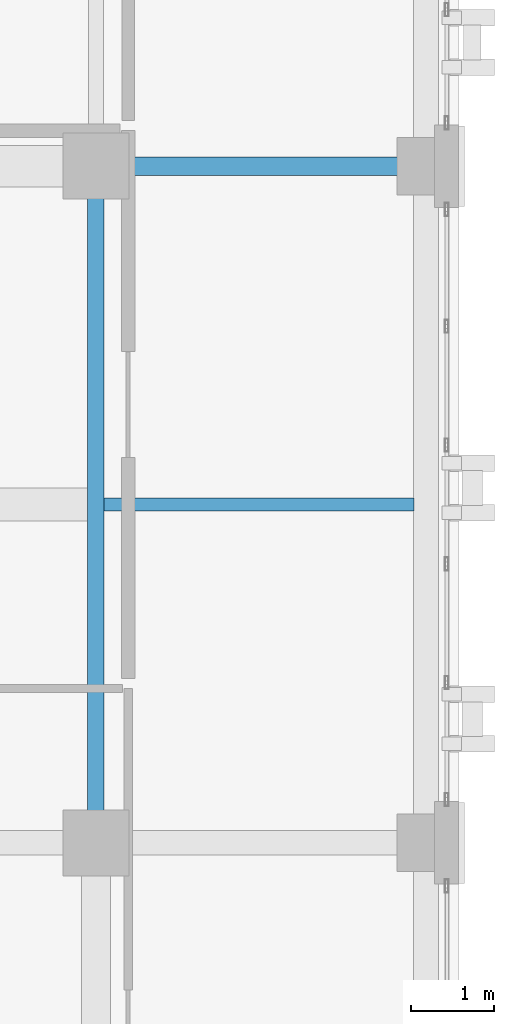
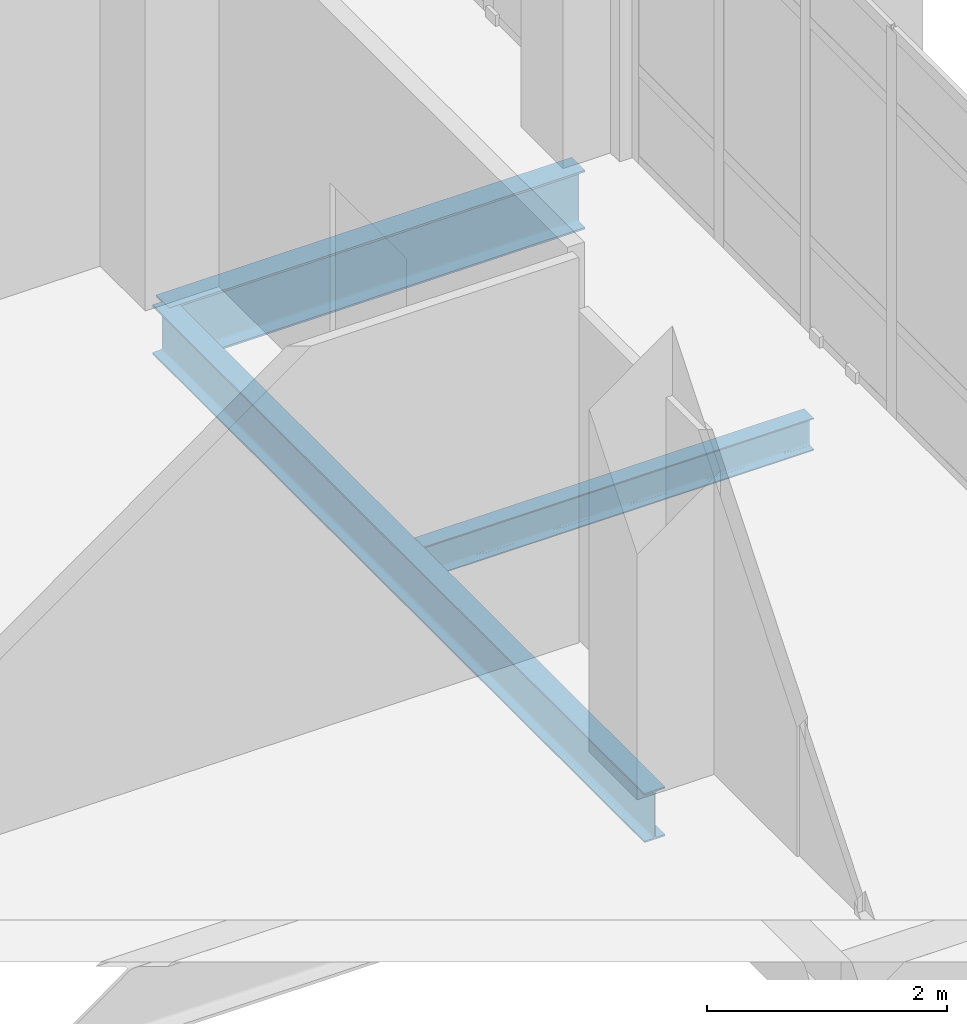
# One storey, part 75 of 165: 3 beams.
"""IFC4 building model written with IfcOpenShell, lengths in metres."""

import ifcopenshell
import ifcopenshell.guid

model = None  # the IFC model being written
_history = None  # IfcOwnerHistory: only IFC2X3 demands one
_inside = {}  # id of a spatial element -> (the spatial element, [elements in it])
_under = {}  # id of a project, library or spatial element -> (it, [spatial elements below it])
_declared = {}  # id of a project -> (the project, [libraries it declares])
_typed = {}  # id of a type object -> (the type object, [elements of that type])
_made_of = {}  # id of a material, layer set ... -> (it, [elements and type objects made of it])


def new_model(schema):
    """Start an empty IFC model of exactly this schema.

    Asked for "IFC4X3", IfcOpenShell would pick the latest addendum, in which some entities
    have other attributes; the version numbers below select the first issue.
    IFC2X3 requires an IfcOwnerHistory on every rooted entity: one is made here for all.
    """
    global model, _history
    if schema == "IFC4X3":
        model = ifcopenshell.file(schema_version=(4, 3, 0, 0))
    else:
        model = ifcopenshell.file(schema=schema)
    _inside.clear()
    _under.clear()
    _declared.clear()
    _typed.clear()
    _made_of.clear()
    _history = None
    if model.schema == "IFC2X3":
        org = make("IfcOrganization", Name="unknown")
        user = make(
            "IfcPersonAndOrganization",
            ThePerson=make("IfcPerson", FamilyName="unknown"),
            TheOrganization=org,
        )
        app = make(
            "IfcApplication",
            ApplicationDeveloper=org,
            Version="unknown",
            ApplicationFullName="unknown",
            ApplicationIdentifier="unknown",
        )
        _history = make(
            "IfcOwnerHistory",
            OwningUser=user,
            OwningApplication=app,
            ChangeAction="ADDED",
            CreationDate=0,
        )
    return model


def make(cls, **values):
    """One entity of the class cls with the attributes given. An attribute that is None is left unset."""
    return model.create_entity(
        cls, **{name: value for name, value in values.items() if value is not None}
    )


def rooted(cls, **values):
    """An entity with a GlobalId (a new one), such as an element, a storey or a relation."""
    return make(cls, GlobalId=ifcopenshell.guid.new(), OwnerHistory=_history, **values)


def si_unit(unit_type, name, prefix=None):
    """IfcSIUnit, for example si_unit("LENGTHUNIT", "METRE", prefix="MILLI")."""
    return make("IfcSIUnit", UnitType=unit_type, Prefix=prefix, Name=name)


def assignment(units):
    """IfcUnitAssignment: the units of a project."""
    return None if units is None else make("IfcUnitAssignment", Units=units)


def point(xyz):
    """IfcCartesianPoint."""
    return None if xyz is None else make("IfcCartesianPoint", Coordinates=xyz)


def direction(xyz):
    """IfcDirection."""
    return None if xyz is None else make("IfcDirection", DirectionRatios=xyz)


def frame(location, z_axis=None, x_axis=None):
    """IfcAxis2Placement3D, a coordinate frame: its origin and axes. An axis left out is left unset."""
    return make(
        "IfcAxis2Placement3D",
        Location=point(location),
        Axis=direction(z_axis),
        RefDirection=direction(x_axis),
    )


def frame_2d(location, x_axis=None):
    """IfcAxis2Placement2D, a coordinate frame in the plane: its origin and x axis."""
    return make(
        "IfcAxis2Placement2D", Location=point(location), RefDirection=direction(x_axis)
    )


def origin():
    """The frame at (0, 0, 0) with its axes left unset."""
    return frame((0.0, 0.0, 0.0))


def origin_2d():
    """The frame at (0, 0) in the plane with its x axis left unset."""
    return frame_2d((0.0, 0.0))


def place(relative_to, where):
    """IfcLocalPlacement: puts the frame where relative to a parent placement (None: the world)."""
    return make(
        "IfcLocalPlacement", PlacementRelTo=relative_to, RelativePlacement=where
    )


def context(
    kind, dimensions, precision=None, world=None, true_north=None, identifier=None
):
    """IfcGeometricRepresentationContext, for example the 3D "Model" context."""
    return make(
        "IfcGeometricRepresentationContext",
        ContextIdentifier=identifier,
        ContextType=kind,
        CoordinateSpaceDimension=dimensions,
        Precision=precision,
        WorldCoordinateSystem=world,
        TrueNorth=true_north,
    )


def subcontext(parent, identifier, kind, view, scale=None):
    """IfcGeometricRepresentationSubContext, for example "Body" below "Model"."""
    return make(
        "IfcGeometricRepresentationSubContext",
        ContextIdentifier=identifier,
        ContextType=kind,
        ParentContext=parent,
        TargetScale=scale,
        TargetView=view,
    )


def project(units=None, contexts=None):
    """IfcProject with its units and contexts."""
    return rooted(
        "IfcProject",
        Name="project",
        RepresentationContexts=contexts,
        UnitsInContext=assignment(units),
    )


def spatial(cls, under=None, at=None, **own):
    """A site, building, storey or space (cls), placed at a placement, below another one or the project."""
    s = rooted(cls, ObjectPlacement=at, **own)
    if under is not None:
        _under.setdefault(under.id(), (under, []))[1].append(s)
    return s


def profile(cls, at=None, kind="AREA", **sizes):
    """A parametric profile (cls). Its sizes go by their IFC names, for example OverallWidth=200.0."""
    return make(cls, ProfileType=kind, Position=at, **sizes)


def i_section(**sizes):
    """IfcIShapeProfileDef."""
    return profile("IfcIShapeProfileDef", **sizes)


def extrude(swept, where, along, depth):
    """IfcExtrudedAreaSolid: the profile swept, set in the frame where, extruded along a direction by depth."""
    return make(
        "IfcExtrudedAreaSolid",
        SweptArea=swept,
        Position=where,
        ExtrudedDirection=direction(along),
        Depth=depth,
    )


def shape(context_of_items, identifier, shape_type, items):
    """IfcShapeRepresentation: the items that make up one representation, for example the "Body"."""
    return make(
        "IfcShapeRepresentation",
        ContextOfItems=context_of_items,
        RepresentationIdentifier=identifier,
        RepresentationType=shape_type,
        Items=items,
    )


def material(Name=None, Category=None):
    """IfcMaterial."""
    return make("IfcMaterial", Name=Name, Category=Category)


def material_profile(
    of_material, cross_section, Name=None, Category=None, Priority=None
):
    """IfcMaterialProfile: a cross section and its material."""
    return make(
        "IfcMaterialProfile",
        Name=Name,
        Material=of_material,
        Profile=cross_section,
        Priority=Priority,
        Category=Category,
    )


def profile_set(profiles, Name=None, composite=None):
    """IfcMaterialProfileSet."""
    return make(
        "IfcMaterialProfileSet",
        Name=Name,
        MaterialProfiles=profiles,
        CompositeProfile=composite,
    )


def made_of(thing, what):
    """Note that an element or type object is made of a material, layer set ...; save() writes the relation."""
    if what is not None:
        _made_of.setdefault(what.id(), (what, []))[1].append(thing)
    return thing


def type_object(cls, material=None, **own):
    """A type object (cls), such as IfcWallType, which elements share."""
    return made_of(rooted(cls, **own), material)


def element(
    cls,
    number,
    at=None,
    inside=None,
    cuts=None,
    type_object=None,
    material=None,
    context=None,
    identifier="Body",
    shape_type=None,
    held_by="IfcProductDefinitionShape",
    body=None,
    shapes=None,
    **own,
):
    """One element of the class cls, such as IfcWall. Its Tag is "e" and its number.

    at: its placement. inside: the storey or other place that contains it. cuts: it is an
    opening in that element (IfcRelVoidsElement). A single representation is given by context,
    identifier, shape_type and body (its items); several are given by shapes. held_by: the class
    of the entity that holds the representations. save() writes the other relations.
    """
    e = rooted(cls, Tag="e%d" % number, ObjectPlacement=at, **own)
    if body is not None:
        shapes = [shape(context, identifier, shape_type, body)]
    if shapes is not None:
        e.Representation = make(held_by, Representations=shapes)
    if inside is not None:
        _inside.setdefault(inside.id(), (inside, []))[1].append(e)
    if cuts is not None:
        rooted(
            "IfcRelVoidsElement", RelatingBuildingElement=cuts, RelatedOpeningElement=e
        )
    if type_object is not None:
        _typed.setdefault(type_object.id(), (type_object, []))[1].append(e)
    return made_of(e, material)


def aggregate(whole, parts):
    """IfcRelAggregates: a whole, such as a stair, and the parts it consists of."""
    return rooted("IfcRelAggregates", RelatingObject=whole, RelatedObjects=parts)


def save(model, path):
    """Write the relations noted so far, then the file.

    IfcRelAggregates (storeys below a building ...), IfcRelContainedInSpatialStructure (elements
    in a storey), IfcRelDefinesByType, IfcRelAssociatesMaterial and IfcRelDeclares: one each for
    every whole, place, type object, material and project.
    """
    for whole, parts in _under.values():
        aggregate(whole, parts)
    for where, things in _inside.values():
        rooted(
            "IfcRelContainedInSpatialStructure",
            RelatedElements=things,
            RelatingStructure=where,
        )
    for kind, things in _typed.values():
        rooted("IfcRelDefinesByType", RelatedObjects=things, RelatingType=kind)
    for what, things in _made_of.values():
        rooted("IfcRelAssociatesMaterial", RelatedObjects=things, RelatingMaterial=what)
    for by, libraries in _declared.values():
        rooted("IfcRelDeclares", RelatingContext=by, RelatedDefinitions=libraries)
    model.write(path)


model = new_model("IFC4")

# Units and contexts
model_context = context("Model", 3, precision=1e-05, world=origin(), true_north=direction((0.0, 1.0)))
body_context = subcontext(model_context, "Body", "Model", "MODEL_VIEW")
ifc_project = project(units=[si_unit("LENGTHUNIT", "METRE"), si_unit("AREAUNIT", "SQUARE_METRE"), si_unit("VOLUMEUNIT", "CUBIC_METRE"), si_unit("PLANEANGLEUNIT", "RADIAN"), si_unit("MASSUNIT", "GRAM", prefix="KILO")], contexts=[model_context])

# Site, building, storey
site_placement = place(None, origin())
site = spatial("IfcSite", under=ifc_project, at=site_placement, CompositionType="ELEMENT")
building_placement = place(site_placement, origin())
building = spatial("IfcBuilding", under=site, at=building_placement, Name="Qalavern Law Courts", CompositionType="ELEMENT")
storey_placement = place(building_placement, frame((0.0, 0.0, 14.39990234375)))
storey = spatial("IfcBuildingStorey", under=building, at=storey_placement, Name="L03", CompositionType="ELEMENT", Elevation=14.39990234375)

# Beams
ifc_material = material(Name="Steel S355", Category="steel")
ifc_material_profile_1 = material_profile(ifc_material, i_section(OverallWidth=0.199951171875, OverallDepth=0.5, WebThickness=0.01025390625, FlangeThickness=0.01611328125, FilletRadius=0.02099609375, at=origin_2d()), Name="IPE 500")
ifc_profile_set_1 = profile_set([ifc_material_profile_1], Name="Steel S355")
beam_type_1 = type_object("IfcBeamType", Name="STR-BM-IPE500", PredefinedType="BEAM", material=ifc_profile_set_1)
beam_1_placement = place(storey_placement, frame((14.39990234375, 79.39990234375, -0.534912109375), z_axis=(0.0, 1.0, 0.0), x_axis=(-1.0, 0.0, 0.0)))
element("IfcBeam", 1, at=beam_1_placement, inside=storey, type_object=beam_type_1, Name="V3 Y-beam 2-6 L03", PredefinedType="BEAM", context=body_context, shape_type="SweptSolid", body=[
    extrude(i_section(OverallWidth=0.199951171875, OverallDepth=0.5, WebThickness=0.01025390625, FlangeThickness=0.01611328125, FilletRadius=0.02099609375, at=origin_2d()), origin(), (0.0, 0.0, 1.0), 8.2001953125),
])
ifc_material_profile_2 = material_profile(ifc_material, i_section(OverallWidth=0.219970703125, OverallDepth=0.60009765625, WebThickness=0.011962890625, FlangeThickness=0.01904296875, FilletRadius=0.02392578125, at=origin_2d()), Name="IPE 600")
ifc_profile_set_2 = profile_set([ifc_material_profile_2], Name="Steel S355")
beam_type_2 = type_object("IfcBeamType", Name="STR-BM-IPE600", PredefinedType="BEAM", material=ifc_profile_set_2)
beam_2_placement = place(storey_placement, frame((14.39990234375, 87.60009765625, -0.5849609375), z_axis=(1.0, 0.0, 0.0), x_axis=(0.0, 1.0, 0.0)))
element("IfcBeam", 2, at=beam_2_placement, inside=storey, type_object=beam_type_2, Name="V3 X-beam 7-2 L03", PredefinedType="BEAM", context=body_context, shape_type="SweptSolid", body=[
    extrude(i_section(OverallWidth=0.219970703125, OverallDepth=0.60009765625, WebThickness=0.011962890625, FlangeThickness=0.01904296875, FilletRadius=0.02392578125, at=origin_2d()), origin(), (0.0, 0.0, 1.0), 4.0),
])
ifc_material_profile_3 = material_profile(ifc_material, i_section(OverallWidth=0.159912109375, OverallDepth=0.330078125, WebThickness=0.007568359375, FlangeThickness=0.011474609375, FilletRadius=0.01806640625, at=origin_2d()), Name="IPE 330")
ifc_profile_set_3 = profile_set([ifc_material_profile_3], Name="Steel S355")
beam_type_3 = type_object("IfcBeamType", Name="STR-JST-IPE330", PredefinedType="JOIST", material=ifc_profile_set_3)
beam_3_placement = place(storey_placement, frame((14.498046875, 83.5, -0.449951171875), z_axis=(1.0, 0.0, 0.0), x_axis=(0.0, 1.0, 0.0)))
element("IfcBeam", 3, at=beam_3_placement, inside=storey, type_object=beam_type_3, Name="V3 secondary joist 2.6.1 L03", PredefinedType="JOIST", context=body_context, shape_type="SweptSolid", body=[
    extrude(i_section(OverallWidth=0.159912109375, OverallDepth=0.330078125, WebThickness=0.007568359375, FlangeThickness=0.011474609375, FilletRadius=0.01806640625, at=origin_2d()), origin(), (0.0, 0.0, 1.0), 3.75390625),
])

save(model, "model.ifc")
